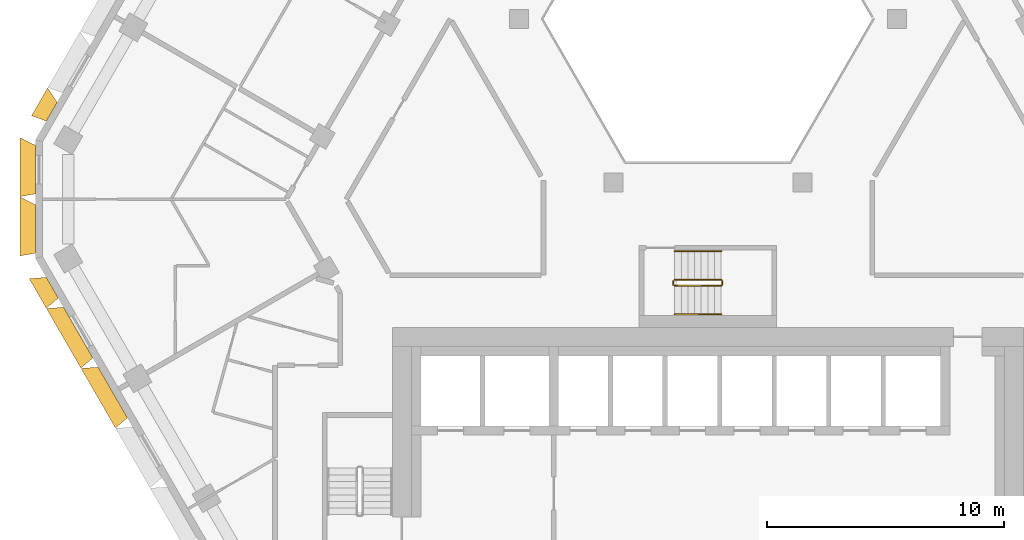
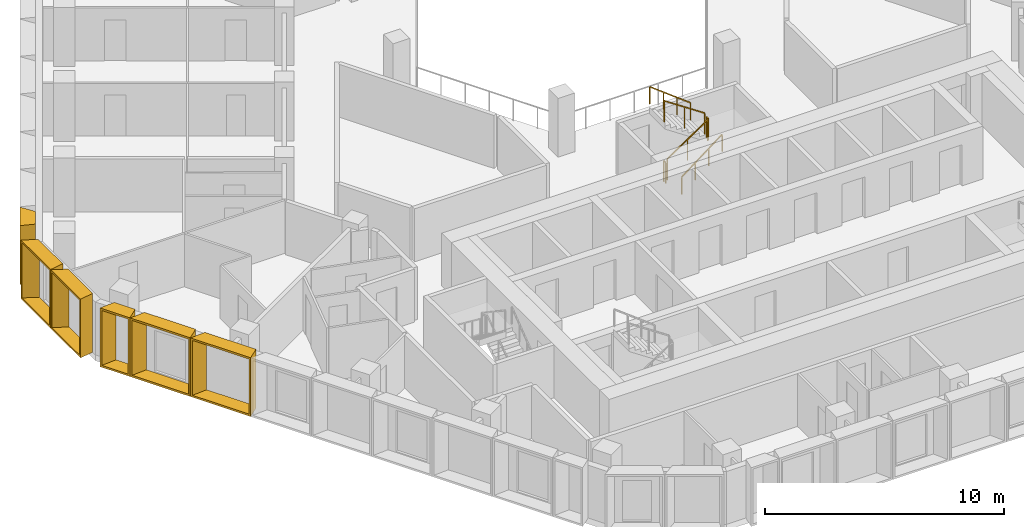
# One storey, part 13 of 15: 6 railings, 6 shading devices.
"""IFC4 building model written with IfcOpenShell, lengths in metres."""

from ifc_helpers import new_model, entity, si_unit, direction, frame, origin, origin_2d, place, context, subcontext, project, spatial, rectangle, extrude, source, transform, mapped, material, type_object, type_shapes, element, save


model = new_model("IFC4")

# Units and contexts
model_context = context("Model", 3, precision=1e-05, world=origin(), true_north=direction((0.0, 1.0)))
body_context = subcontext(model_context, "Body", "Model", "MODEL_VIEW")
ifc_project = project(units=[si_unit("LENGTHUNIT", "METRE"), si_unit("AREAUNIT", "SQUARE_METRE"), si_unit("VOLUMEUNIT", "CUBIC_METRE"), si_unit("PLANEANGLEUNIT", "RADIAN"), si_unit("MASSUNIT", "GRAM", prefix="KILO")], contexts=[model_context])

# Site, building, storey
site_placement = place(None, origin())
site = spatial("IfcSite", under=ifc_project, at=site_placement, CompositionType="ELEMENT")
building_placement = place(site_placement, origin())
building = spatial("IfcBuilding", under=site, at=building_placement, Name="Beryl Residences", CompositionType="ELEMENT")
storey_placement = place(building_placement, frame((0.0, 0.0, 123.60009765625)))
storey = spatial("IfcBuildingStorey", under=building, at=storey_placement, Name="L37", CompositionType="ELEMENT", Elevation=123.60009765625)

# Shading devices
ifc_material_1 = material(Name="Aluminium pale anodised", Category="aluminium")
shading_device_type_1 = type_object("IfcShadingDeviceType", Name="FR137-65B OUTER SKIN frame 650 mm deep, splay 26/10 deg, 1370 x 3000 mm cell", PredefinedType="USERDEFINED", material=ifc_material_1)
cartesian_point_1 = entity("IfcCartesianPoint", [-0.458984375, 0.0])
cartesian_point_2 = entity("IfcCartesianPoint", [-0.369873046875, 0.10009765625])
cartesian_point_3 = entity("IfcCartesianPoint", [-0.776123046875, 0.0])
cartesian_point_4 = entity("IfcCartesianPoint", [-0.68701171875, 0.10009765625])
shared_shape_1 = source(origin(), body_context, "Body", "SweptSolid", [
    entity("IfcExtrudedAreaSolidTapered", entity("IfcArbitraryProfileDefWithVoids", "AREA", None, entity("IfcPolyline", [cartesian_point_1, entity("IfcCartesianPoint", [0.458984375, 0.0]), entity("IfcCartesianPoint", [0.458984375, 3.0]), entity("IfcCartesianPoint", [-0.458984375, 3.0]), cartesian_point_1]), [entity("IfcPolyline", [cartesian_point_2, entity("IfcCartesianPoint", [0.377685546875, 0.10009765625]), entity("IfcCartesianPoint", [0.377685546875, 2.89990234375]), entity("IfcCartesianPoint", [-0.369873046875, 2.89990234375]), cartesian_point_2])]), entity("IfcAxis2Placement3D", entity("IfcCartesianPoint", [0.0, 0.0, 0.0]), entity("IfcDirection", [0.0, 1.0, 0.0]), entity("IfcDirection", [-1.0, 0.0, 0.0])), entity("IfcDirection", [0.0, 0.0, 1.0]), 0.64990234375, entity("IfcArbitraryProfileDefWithVoids", "AREA", None, entity("IfcPolyline", [cartesian_point_3, entity("IfcCartesianPoint", [0.57373046875, 0.0]), entity("IfcCartesianPoint", [0.57373046875, 3.0]), entity("IfcCartesianPoint", [-0.776123046875, 3.0]), cartesian_point_3]), [entity("IfcPolyline", [cartesian_point_4, entity("IfcCartesianPoint", [0.492431640625, 0.10009765625]), entity("IfcCartesianPoint", [0.492431640625, 2.89990234375]), entity("IfcCartesianPoint", [-0.68701171875, 2.89990234375]), cartesian_point_4])])),
])
type_shapes(shading_device_type_1, [shared_shape_1])
shading_device_1_placement = place(storey_placement, frame((-27.658935546875, 4.093017578125, 0.0), z_axis=(0.0, 0.0, 1.0), x_axis=(0.5, 0.866025403784, 0.0)))
element("IfcShadingDevice", 1, at=shading_device_1_placement, inside=storey, type_object=shading_device_type_1, Name="FR137-65B frame L37 NW 9", ObjectType="OUTER SKIN", PredefinedType="USERDEFINED", context=body_context, shape_type="MappedRepresentation", body=[
    mapped(shared_shape_1, transform((0.0, 0.0, 0.0))),
])
ifc_material_2 = material(Name="Aluminium pale anodised", Category="aluminium")
shading_device_type_2 = type_object("IfcShadingDeviceType", Name="FR146-65B OUTER SKIN frame 650 mm deep, splay 26/10 deg, 1460 x 3000 mm cell", PredefinedType="USERDEFINED", material=ifc_material_2)
cartesian_point_5 = entity("IfcCartesianPoint", [-0.50390625, 0.0])
cartesian_point_6 = entity("IfcCartesianPoint", [-0.4150390625, 0.10009765625])
cartesian_point_7 = entity("IfcCartesianPoint", [-0.821044921875, 0.0])
cartesian_point_8 = entity("IfcCartesianPoint", [-0.73193359375, 0.10009765625])
shared_shape_2 = source(origin(), body_context, "Body", "SweptSolid", [
    entity("IfcExtrudedAreaSolidTapered", entity("IfcArbitraryProfileDefWithVoids", "AREA", None, entity("IfcPolyline", [cartesian_point_5, entity("IfcCartesianPoint", [0.50390625, 0.0]), entity("IfcCartesianPoint", [0.50390625, 3.0]), entity("IfcCartesianPoint", [-0.50390625, 3.0]), cartesian_point_5]), [entity("IfcPolyline", [cartesian_point_6, entity("IfcCartesianPoint", [0.4228515625, 0.10009765625]), entity("IfcCartesianPoint", [0.4228515625, 2.89990234375]), entity("IfcCartesianPoint", [-0.4150390625, 2.89990234375]), cartesian_point_6])]), entity("IfcAxis2Placement3D", entity("IfcCartesianPoint", [0.0, 0.0, 0.0]), entity("IfcDirection", [0.0, 1.0, 0.0]), entity("IfcDirection", [-1.0, 0.0, 0.0])), entity("IfcDirection", [0.0, 0.0, 1.0]), 0.64990234375, entity("IfcArbitraryProfileDefWithVoids", "AREA", None, entity("IfcPolyline", [cartesian_point_7, entity("IfcCartesianPoint", [0.61865234375, 0.0]), entity("IfcCartesianPoint", [0.61865234375, 3.0]), entity("IfcCartesianPoint", [-0.821044921875, 3.0]), cartesian_point_7]), [entity("IfcPolyline", [cartesian_point_8, entity("IfcCartesianPoint", [0.537353515625, 0.10009765625]), entity("IfcCartesianPoint", [0.537353515625, 2.89990234375]), entity("IfcCartesianPoint", [-0.73193359375, 2.89990234375]), cartesian_point_8])])),
])
type_shapes(shading_device_type_2, [shared_shape_2])
shading_device_2_placement = place(storey_placement, frame((-27.636962890625, -3.3310546875, 0.0), z_axis=(0.0, 0.0, 1.0), x_axis=(-0.5, 0.866025403784, 0.0)))
element("IfcShadingDevice", 2, at=shading_device_2_placement, inside=storey, type_object=shading_device_type_2, Name="FR146-65B frame L37 SW 1", ObjectType="OUTER SKIN", PredefinedType="USERDEFINED", context=body_context, shape_type="MappedRepresentation", body=[
    mapped(shared_shape_2, transform((0.0, 0.0, 0.0))),
])
ifc_material_3 = material(Name="Aluminium pale anodised", Category="aluminium")
shading_device_type_3 = type_object("IfcShadingDeviceType", Name="FR250-65B OUTER SKIN frame 650 mm deep, splay 26/10 deg, 2500 x 3000 mm cell", PredefinedType="USERDEFINED", material=ifc_material_3)
cartesian_point_9 = entity("IfcCartesianPoint", [-1.02392578125, 0.0])
cartesian_point_10 = entity("IfcCartesianPoint", [-0.93505859375, 0.10009765625])
cartesian_point_11 = entity("IfcCartesianPoint", [-1.341064453125, 0.0])
cartesian_point_12 = entity("IfcCartesianPoint", [-1.251953125, 0.10009765625])
shared_shape_3 = source(origin(), body_context, "Body", "SweptSolid", [
    entity("IfcExtrudedAreaSolidTapered", entity("IfcArbitraryProfileDefWithVoids", "AREA", None, entity("IfcPolyline", [cartesian_point_9, entity("IfcCartesianPoint", [1.02392578125, 0.0]), entity("IfcCartesianPoint", [1.02392578125, 3.0]), entity("IfcCartesianPoint", [-1.02392578125, 3.0]), cartesian_point_9]), [entity("IfcPolyline", [cartesian_point_10, entity("IfcCartesianPoint", [0.94287109375, 0.10009765625]), entity("IfcCartesianPoint", [0.94287109375, 2.89990234375]), entity("IfcCartesianPoint", [-0.93505859375, 2.89990234375]), cartesian_point_10])]), entity("IfcAxis2Placement3D", entity("IfcCartesianPoint", [0.0, 0.0, 0.0]), entity("IfcDirection", [0.0, 1.0, 0.0]), entity("IfcDirection", [-1.0, 0.0, 0.0])), entity("IfcDirection", [0.0, 0.0, 1.0]), 0.64990234375, entity("IfcArbitraryProfileDefWithVoids", "AREA", None, entity("IfcPolyline", [cartesian_point_11, entity("IfcCartesianPoint", [1.138671875, 0.0]), entity("IfcCartesianPoint", [1.138671875, 3.0]), entity("IfcCartesianPoint", [-1.341064453125, 3.0]), cartesian_point_11]), [entity("IfcPolyline", [cartesian_point_12, entity("IfcCartesianPoint", [1.057373046875, 0.10009765625]), entity("IfcCartesianPoint", [1.057373046875, 2.89990234375]), entity("IfcCartesianPoint", [-1.251953125, 2.89990234375]), cartesian_point_12])])),
])
type_shapes(shading_device_type_3, [shared_shape_3])
for number, where, z_axis, x_axis, name in (
    (3, (-28.347900390625, 1.64990234375, 0.0), (0.0, 0.0, 1.0), (0.0, 1.0, 0.0), "FR250-65B frame L37 NW-SW 1"),
    (4, (-28.347900390625, -0.85009765625, 0.0), (0.0, 0.0, 1.0), (0.0, 1.0, 0.0), "FR250-65B frame L37 NW-SW 2"),
):
    element("IfcShadingDevice", number, at=place(storey_placement, frame(where, z_axis=z_axis, x_axis=x_axis)), inside=storey, type_object=shading_device_type_3, Name=name, ObjectType="OUTER SKIN", PredefinedType="USERDEFINED", context=body_context, shape_type="MappedRepresentation", body=[
        mapped(shared_shape_3, transform((0.0, 0.0, 0.0))),
    ])
ifc_material_4 = material(Name="Aluminium pale anodised", Category="aluminium")
shading_device_type_4 = type_object("IfcShadingDeviceType", Name="FR292-65B OUTER SKIN frame 650 mm deep, splay 26/10 deg, 2920 x 3000 mm cell", PredefinedType="USERDEFINED", material=ifc_material_4)
cartesian_point_13 = entity("IfcCartesianPoint", [-1.23388671875, 0.0])
cartesian_point_14 = entity("IfcCartesianPoint", [-1.14501953125, 0.10009765625])
cartesian_point_15 = entity("IfcCartesianPoint", [-1.551025390625, 0.0])
cartesian_point_16 = entity("IfcCartesianPoint", [-1.4619140625, 0.10009765625])
shared_shape_4 = source(origin(), body_context, "Body", "SweptSolid", [
    entity("IfcExtrudedAreaSolidTapered", entity("IfcArbitraryProfileDefWithVoids", "AREA", None, entity("IfcPolyline", [cartesian_point_13, entity("IfcCartesianPoint", [1.23388671875, 0.0]), entity("IfcCartesianPoint", [1.23388671875, 3.0]), entity("IfcCartesianPoint", [-1.23388671875, 3.0]), cartesian_point_13]), [entity("IfcPolyline", [cartesian_point_14, entity("IfcCartesianPoint", [1.15283203125, 0.10009765625]), entity("IfcCartesianPoint", [1.15283203125, 2.89990234375]), entity("IfcCartesianPoint", [-1.14501953125, 2.89990234375]), cartesian_point_14])]), entity("IfcAxis2Placement3D", entity("IfcCartesianPoint", [0.0, 0.0, 0.0]), entity("IfcDirection", [0.0, 1.0, 0.0]), entity("IfcDirection", [-1.0, 0.0, 0.0])), entity("IfcDirection", [0.0, 0.0, 1.0]), 0.64990234375, entity("IfcArbitraryProfileDefWithVoids", "AREA", None, entity("IfcPolyline", [cartesian_point_15, entity("IfcCartesianPoint", [1.3486328125, 0.0]), entity("IfcCartesianPoint", [1.3486328125, 3.0]), entity("IfcCartesianPoint", [-1.551025390625, 3.0]), cartesian_point_15]), [entity("IfcPolyline", [cartesian_point_16, entity("IfcCartesianPoint", [1.267333984375, 0.10009765625]), entity("IfcCartesianPoint", [1.267333984375, 2.89990234375]), entity("IfcCartesianPoint", [-1.4619140625, 2.89990234375]), cartesian_point_16])])),
])
type_shapes(shading_device_type_4, [shared_shape_4])
for number, where, z_axis, x_axis, name in (
    (5, (-26.5439453125, -5.22412109375, 0.0), (0.0, 0.0, 1.0), (-0.5, 0.866025403784, 0.0), "FR292-65B frame L37 SW 2"),
    (6, (-25.0859375, -7.7490234375, 0.0), (0.0, 0.0, 1.0), (-0.5, 0.866025403784, 0.0), "FR292-65B frame L37 SW 3"),
):
    element("IfcShadingDevice", number, at=place(storey_placement, frame(where, z_axis=z_axis, x_axis=x_axis)), inside=storey, type_object=shading_device_type_4, Name=name, ObjectType="OUTER SKIN", PredefinedType="USERDEFINED", context=body_context, shape_type="MappedRepresentation", body=[
        mapped(shared_shape_4, transform((0.0, 0.0, 0.0))),
    ])

# Railings
ifc_material_5 = material(Name="Stainless steel balustrade with glass infill", Category="steel")
railing_type_1 = type_object("IfcRailingType", Name="SG1 stair guard 1100 mm", PredefinedType="GUARDRAIL", material=ifc_material_5)
railing_1_placement = place(storey_placement, frame((-1.39990234375, -3.25, 0.1875)))
element("IfcRailing", 7, at=railing_1_placement, inside=storey, type_object=railing_type_1, Name="L37 ST-4 stair guard 1", PredefinedType="GUARDRAIL", context=body_context, shape_type="SweptSolid", body=[
    extrude(rectangle(XDim=0.048095703125, YDim=0.048095703125, at=origin_2d()), frame((0.0, 0.0, 1.076171875), z_axis=(0.830902050051, 0.0, 0.556418712142), x_axis=(0.0, 1.0, 0.0)), (0.0, 0.0, 1.0), 2.35888671875),
    extrude(rectangle(XDim=0.0419921875, YDim=0.0419921875, at=origin_2d()), origin(), (0.0, 0.0, 1.0), 1.052001953125),
    extrude(rectangle(XDim=0.0419921875, YDim=0.0419921875, at=origin_2d()), frame((0.97998046875, 0.0, 0.65625)), (0.0, 0.0, 1.0), 1.052001953125),
    extrude(rectangle(XDim=0.0419921875, YDim=0.0419921875, at=origin_2d()), frame((1.9599609375, 0.0, 1.3125)), (0.0, 0.0, 1.0), 1.052001953125),
])
railing_2_placement = place(storey_placement, frame((0.610107421875, -3.199951171875, 1.5)))
element("IfcRailing", 8, at=railing_2_placement, inside=storey, type_object=railing_type_1, Name="L37 ST-4 stair guard 2", PredefinedType="GUARDRAIL", context=body_context, shape_type="SweptSolid", body=[
    extrude(rectangle(XDim=0.048095703125, YDim=0.048095703125, at=origin_2d()), frame((0.0, 0.0, 1.076171875), z_axis=(0.0, 1.0, 0.0), x_axis=(-1.0, 0.0, 0.0)), (0.0, 0.0, 1.0), 0.14990234375),
    extrude(rectangle(XDim=0.0419921875, YDim=0.0419921875, at=origin_2d()), origin(), (0.0, 0.0, 1.0), 1.052001953125),
    extrude(rectangle(XDim=0.0419921875, YDim=0.0419921875, at=origin_2d()), frame((0.0, 0.14990234375, 0.0)), (0.0, 0.0, 1.0), 1.052001953125),
])
railing_3_placement = place(storey_placement, frame((0.56005859375, -3.0, 1.6875)))
element("IfcRailing", 9, at=railing_3_placement, inside=storey, type_object=railing_type_1, Name="L37 ST-4 stair guard 3", PredefinedType="GUARDRAIL", context=body_context, shape_type="SweptSolid", body=[
    extrude(rectangle(XDim=0.048095703125, YDim=0.048095703125, at=origin_2d()), frame((0.0, 0.0, 1.076171875), z_axis=(-0.830902050051, 0.0, 0.556418712142), x_axis=(0.0, -1.0, 0.0)), (0.0, 0.0, 1.0), 2.35888671875),
    extrude(rectangle(XDim=0.0419921875, YDim=0.0419921875, at=origin_2d()), origin(), (0.0, 0.0, 1.0), 1.052001953125),
    extrude(rectangle(XDim=0.0419921875, YDim=0.0419921875, at=origin_2d()), frame((-0.97998046875, 0.0, 0.65625)), (0.0, 0.0, 1.0), 1.052001953125),
    extrude(rectangle(XDim=0.0419921875, YDim=0.0419921875, at=origin_2d()), frame((-1.9599609375, 0.0, 1.3125)), (0.0, 0.0, 1.0), 1.052001953125),
])
railing_4_placement = place(storey_placement, frame((-1.449951171875, -3.199951171875, 0.0)))
element("IfcRailing", 10, at=railing_4_placement, inside=storey, type_object=railing_type_1, Name="L37 ST-4 stair guard 4", PredefinedType="GUARDRAIL", context=body_context, shape_type="SweptSolid", body=[
    extrude(rectangle(XDim=0.048095703125, YDim=0.048095703125, at=origin_2d()), frame((0.0, 0.0, 1.076171875), z_axis=(0.0, 1.0, 0.0), x_axis=(-1.0, 0.0, 0.0)), (0.0, 0.0, 1.0), 0.14990234375),
    extrude(rectangle(XDim=0.0419921875, YDim=0.0419921875, at=origin_2d()), origin(), (0.0, 0.0, 1.0), 1.052001953125),
    extrude(rectangle(XDim=0.0419921875, YDim=0.0419921875, at=origin_2d()), frame((0.0, 0.14990234375, 0.0)), (0.0, 0.0, 1.0), 1.052001953125),
])
ifc_material_6 = material(Name="Stainless steel handrail", Category="steel")
railing_type_2 = type_object("IfcRailingType", Name="SRL1 stair handrail 900 mm", PredefinedType="HANDRAIL", material=ifc_material_6)
railing_5_placement = place(storey_placement, frame((-1.39990234375, -4.449951171875, 0.1875)))
element("IfcRailing", 11, at=railing_5_placement, inside=storey, type_object=railing_type_2, Name="L37 ST-4 stair handrail 1", PredefinedType="HANDRAIL", context=body_context, shape_type="SweptSolid", body=[
    extrude(rectangle(XDim=0.048095703125, YDim=0.048095703125, at=origin_2d()), frame((0.0, 0.0, 0.8759765625), z_axis=(0.794121922505, 0.0, 0.607758481798), x_axis=(0.0, 1.0, 0.0)), (0.0, 0.0, 1.0), 2.468017578125),
    extrude(rectangle(XDim=0.0419921875, YDim=0.0419921875, at=origin_2d()), origin(), (0.0, 0.0, 1.0), 0.851806640625),
    extrude(rectangle(XDim=0.0419921875, YDim=0.0419921875, at=origin_2d()), frame((0.6533203125, 0.0, 0.5)), (0.0, 0.0, 1.0), 0.851806640625),
    extrude(rectangle(XDim=0.0419921875, YDim=0.0419921875, at=origin_2d()), frame((1.306640625, 0.0, 1.0)), (0.0, 0.0, 1.0), 0.851806640625),
    extrude(rectangle(XDim=0.0419921875, YDim=0.0419921875, at=origin_2d()), frame((1.9599609375, 0.0, 1.5)), (0.0, 0.0, 1.0), 0.851806640625),
])
railing_6_placement = place(storey_placement, frame((0.56005859375, -1.800048828125, 1.6875)))
element("IfcRailing", 12, at=railing_6_placement, inside=storey, type_object=railing_type_2, Name="L37 ST-4 stair handrail 2", PredefinedType="HANDRAIL", context=body_context, shape_type="SweptSolid", body=[
    extrude(rectangle(XDim=0.048095703125, YDim=0.048095703125, at=origin_2d()), frame((0.0, 0.0, 0.8759765625), z_axis=(-0.794121922505, 0.0, 0.607758481798), x_axis=(0.0, -1.0, 0.0)), (0.0, 0.0, 1.0), 2.468017578125),
    extrude(rectangle(XDim=0.0419921875, YDim=0.0419921875, at=origin_2d()), origin(), (0.0, 0.0, 1.0), 0.851806640625),
    extrude(rectangle(XDim=0.0419921875, YDim=0.0419921875, at=origin_2d()), frame((-0.6533203125, 0.0, 0.5)), (0.0, 0.0, 1.0), 0.851806640625),
    extrude(rectangle(XDim=0.0419921875, YDim=0.0419921875, at=origin_2d()), frame((-1.306640625, 0.0, 1.0)), (0.0, 0.0, 1.0), 0.851806640625),
    extrude(rectangle(XDim=0.0419921875, YDim=0.0419921875, at=origin_2d()), frame((-1.9599609375, 0.0, 1.5)), (0.0, 0.0, 1.0), 0.851806640625),
])

save(model, "model.ifc")
